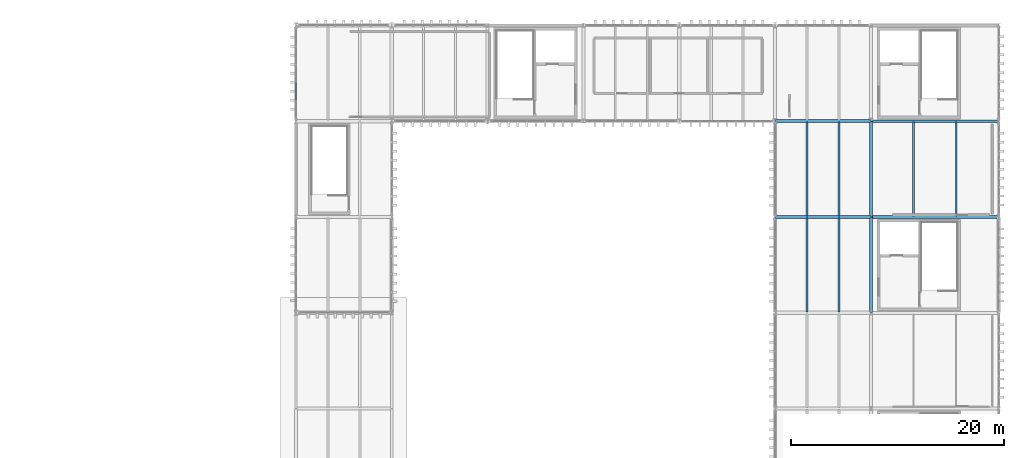
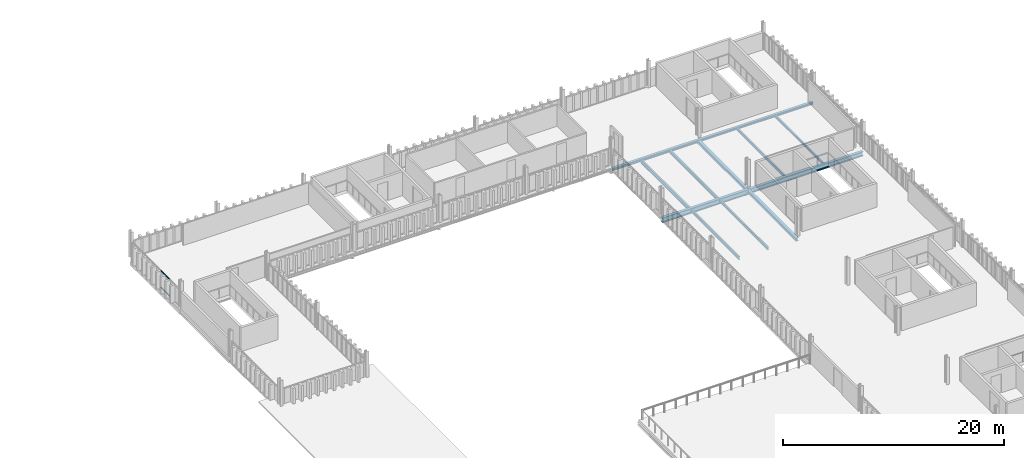
# One storey, part 36 of 58: 12 beams, 2 members, 1 element without a shape of its own.
"""IFC4 building model written with IfcOpenShell, lengths in metres."""

from ifc_helpers import new_model, si_unit, direction, frame, origin, origin_2d, place, context, subcontext, project, spatial, hollow_rectangle, i_section, extrude, material, layer, layer_set, material_profile, profile_set, type_object, element, aggregate, save


model = new_model("IFC4")

# Units and contexts
model_context = context("Model", 3, precision=1e-05, world=origin(), true_north=direction((0.0, 1.0)))
body_context = subcontext(model_context, "Body", "Model", "MODEL_VIEW")
ifc_project = project(units=[si_unit("LENGTHUNIT", "METRE"), si_unit("AREAUNIT", "SQUARE_METRE"), si_unit("VOLUMEUNIT", "CUBIC_METRE"), si_unit("PLANEANGLEUNIT", "RADIAN"), si_unit("MASSUNIT", "GRAM", prefix="KILO")], contexts=[model_context])

# Site, building, storey
site_placement = place(None, origin())
site = spatial("IfcSite", under=ifc_project, at=site_placement, CompositionType="ELEMENT")
building_placement = place(site_placement, origin())
building = spatial("IfcBuilding", under=site, at=building_placement, Name="Barlavento Convention Centre", CompositionType="ELEMENT")
storey_placement = place(building_placement, frame((0.0, 0.0, 26.800048828125)))
storey = spatial("IfcBuildingStorey", under=building, at=storey_placement, Name="L05", CompositionType="ELEMENT", Elevation=26.800048828125)

# Curtain wall, members
ifc_material_1 = material(Name="Powder-coated aluminium and Low-E glass", Category="aluminium")
ifc_layer = layer(ifc_material_1, 0.18994140625)
ifc_layer_set = layer_set([ifc_layer], Name="ARC-CW-CONF-L05")
curtain_wall_type = type_object("IfcCurtainWallType", Name="ARC-CW-CONF-L05", PredefinedType="NOTDEFINED", material=ifc_layer_set)
curtain_wall_placement = place(storey_placement, origin())
curtain_wall = element("IfcCurtainWall", 1, at=curtain_wall_placement, inside=storey, type_object=curtain_wall_type, Name="L05 unitised curtain wall CW10", PredefinedType="NOTDEFINED")
ifc_material_2 = material(Name="Powder-coated aluminium", Category="aluminium")
ifc_material_profile_1 = material_profile(ifc_material_2, hollow_rectangle(XDim=0.06005859375, YDim=0.1201171875, WallThickness=0.00390625, at=origin_2d()), Name="AL-TRAN 60x120x4")
ifc_profile_set_1 = profile_set([ifc_material_profile_1], Name="Powder-coated aluminium")
member_type = type_object("IfcMemberType", Name="ARC-CWT-60X120", PredefinedType="USERDEFINED", material=ifc_profile_set_1)
member_1_placement = place(storey_placement, frame((126.0, 91.98095703125, 0.030029296875), z_axis=(0.0, 1.0, 0.0), x_axis=(-1.0, 0.0, 0.0)))
member_1 = element("IfcMember", 2, at=member_1_placement, type_object=member_type, Name="CW10 transom 2.1", ObjectType="TRANSOM", PredefinedType="USERDEFINED", context=body_context, shape_type="SweptSolid", body=[
    extrude(hollow_rectangle(XDim=0.06005859375, YDim=0.1201171875, WallThickness=0.00390625, at=origin_2d()), origin(), (0.0, 0.0, 1.0), 1.631103515625),
])
member_2_placement = place(storey_placement, frame((126.0, 91.98095703125, 1.869873046875), z_axis=(0.0, 1.0, 0.0), x_axis=(-1.0, 0.0, 0.0)))
member_2 = element("IfcMember", 3, at=member_2_placement, type_object=member_type, Name="CW10 transom 2.2", ObjectType="TRANSOM", PredefinedType="USERDEFINED", context=body_context, shape_type="SweptSolid", body=[
    extrude(hollow_rectangle(XDim=0.06005859375, YDim=0.1201171875, WallThickness=0.00390625, at=origin_2d()), origin(), (0.0, 0.0, 1.0), 1.631103515625),
])
aggregate(curtain_wall, [member_1, member_2])

# Beams
ifc_material_3 = material(Name="Steel S355", Category="steel")
ifc_material_profile_2 = material_profile(ifc_material_3, i_section(OverallWidth=0.135009765625, OverallDepth=0.27001953125, WebThickness=0.006591796875, FlangeThickness=0.01025390625, FilletRadius=0.014892578125, at=origin_2d()), Name="IPE 270")
ifc_profile_set_2 = profile_set([ifc_material_profile_2], Name="Steel S355")
beam_type_1 = type_object("IfcBeamType", Name="STR-BM-JST-IPE270", PredefinedType="JOIST", material=ifc_profile_set_2)
beam_1_placement = place(storey_placement, frame((188.0, 81.094970703125, -0.4951171875), z_axis=(0.0, 1.0, 0.0), x_axis=(-1.0, 0.0, 0.0)))
element("IfcBeam", 4, at=beam_1_placement, inside=storey, type_object=beam_type_1, Name="L05 composite floor joist SJ08", PredefinedType="JOIST", context=body_context, shape_type="SweptSolid", body=[
    extrude(i_section(OverallWidth=0.135009765625, OverallDepth=0.27001953125, WebThickness=0.006591796875, FlangeThickness=0.01025390625, FilletRadius=0.014892578125, at=origin_2d()), origin(), (0.0, 0.0, 1.0), 8.81005859375),
])
ifc_material_profile_3 = material_profile(ifc_material_3, i_section(OverallWidth=0.14990234375, OverallDepth=0.300048828125, WebThickness=0.007080078125, FlangeThickness=0.0107421875, FilletRadius=0.014892578125, at=origin_2d()), Name="IPE 300")
ifc_profile_set_3 = profile_set([ifc_material_profile_3], Name="Steel S355")
beam_type_2 = type_object("IfcBeamType", Name="STR-BM-JST-IPE300", PredefinedType="JOIST", material=ifc_profile_set_3)
for number, where, z_axis, x_axis, name in (
    (5, (177.0, 72.094970703125, -0.510009765625), (0.0, 1.0, 0.0), (-1.0, 0.0, 0.0), "L05 composite floor joist SJ07"),
    (6, (184.0, 81.094970703125, -0.510009765625), (0.0, 1.0, 0.0), (-1.0, 0.0, 0.0), "L05 composite floor joist SJ07"),
):
    element("IfcBeam", number, at=place(storey_placement, frame(where, z_axis=z_axis, x_axis=x_axis)), inside=storey, type_object=beam_type_2, Name=name, PredefinedType="JOIST", context=body_context, shape_type="SweptSolid", body=[
        extrude(i_section(OverallWidth=0.14990234375, OverallDepth=0.300048828125, WebThickness=0.007080078125, FlangeThickness=0.0107421875, FilletRadius=0.014892578125, at=origin_2d()), origin(), (0.0, 0.0, 1.0), 8.81005859375),
    ])
ifc_material_profile_4 = material_profile(ifc_material_3, i_section(OverallWidth=0.159912109375, OverallDepth=0.330078125, WebThickness=0.007568359375, FlangeThickness=0.011474609375, FilletRadius=0.01806640625, at=origin_2d()), Name="IPE 330")
ifc_profile_set_4 = profile_set([ifc_material_profile_4], Name="Steel S355")
beam_type_3 = type_object("IfcBeamType", Name="STR-BM-JST-IPE330", PredefinedType="JOIST", material=ifc_profile_set_4)
beam_2_placement = place(storey_placement, frame((174.0, 72.094970703125, -0.525146484375), z_axis=(0.0, 1.0, 0.0), x_axis=(-1.0, 0.0, 0.0)))
element("IfcBeam", 7, at=beam_2_placement, inside=storey, type_object=beam_type_3, Name="L05 composite floor joist SJ06", PredefinedType="JOIST", context=body_context, shape_type="SweptSolid", body=[
    extrude(i_section(OverallWidth=0.159912109375, OverallDepth=0.330078125, WebThickness=0.007568359375, FlangeThickness=0.011474609375, FilletRadius=0.01806640625, at=origin_2d()), origin(), (0.0, 0.0, 1.0), 8.81005859375),
])
ifc_material_profile_5 = material_profile(ifc_material_3, i_section(OverallWidth=0.169921875, OverallDepth=0.360107421875, WebThickness=0.008056640625, FlangeThickness=0.0126953125, FilletRadius=0.01806640625, at=origin_2d()), Name="IPE 360")
ifc_profile_set_5 = profile_set([ifc_material_profile_5], Name="Steel S355")
beam_type_4 = type_object("IfcBeamType", Name="STR-BM-JST-IPE360", PredefinedType="JOIST", material=ifc_profile_set_5)
beam_3_placement = place(storey_placement, frame((177.0, 81.094970703125, -0.5400390625), z_axis=(0.0, 1.0, 0.0), x_axis=(-1.0, 0.0, 0.0)))
element("IfcBeam", 8, at=beam_3_placement, inside=storey, type_object=beam_type_4, Name="L05 composite floor joist SJ05", PredefinedType="JOIST", context=body_context, shape_type="SweptSolid", body=[
    extrude(i_section(OverallWidth=0.169921875, OverallDepth=0.360107421875, WebThickness=0.008056640625, FlangeThickness=0.0126953125, FilletRadius=0.01806640625, at=origin_2d()), origin(), (0.0, 0.0, 1.0), 8.81005859375),
])
ifc_material_profile_6 = material_profile(ifc_material_3, i_section(OverallWidth=0.179931640625, OverallDepth=0.39990234375, WebThickness=0.008544921875, FlangeThickness=0.013427734375, FilletRadius=0.02099609375, at=origin_2d()), Name="IPE 400")
ifc_profile_set_6 = profile_set([ifc_material_profile_6], Name="Steel S355")
beam_type_5 = type_object("IfcBeamType", Name="STR-BM-JST-IPE400", PredefinedType="JOIST", material=ifc_profile_set_6)
beam_4_placement = place(storey_placement, frame((174.0, 81.094970703125, -0.56005859375), z_axis=(0.0, 1.0, 0.0), x_axis=(-1.0, 0.0, 0.0)))
element("IfcBeam", 9, at=beam_4_placement, inside=storey, type_object=beam_type_5, Name="L05 composite floor joist SJ04", PredefinedType="JOIST", context=body_context, shape_type="SweptSolid", body=[
    extrude(i_section(OverallWidth=0.179931640625, OverallDepth=0.39990234375, WebThickness=0.008544921875, FlangeThickness=0.013427734375, FilletRadius=0.02099609375, at=origin_2d()), origin(), (0.0, 0.0, 1.0), 8.81005859375),
])
ifc_material_profile_7 = material_profile(ifc_material_3, i_section(OverallWidth=0.300048828125, OverallDepth=0.330078125, WebThickness=0.009521484375, FlangeThickness=0.0166015625, FilletRadius=0.027099609375, at=origin_2d()), Name="HEA 340")
ifc_profile_set_7 = profile_set([ifc_material_profile_7], Name="Steel S355")
beam_type_6 = type_object("IfcBeamType", Name="STR-BM-PRI-HEA340", PredefinedType="BEAM", material=ifc_profile_set_7)
for number, where, z_axis, x_axis, name in (
    (10, (180.0, 72.02001953125, -0.525146484375), (0.0, 1.0, 0.0), (-1.0, 0.0, 0.0), "L05 grid girder BG24"),
    (11, (180.0, 81.02001953125, -0.525146484375), (0.0, 1.0, 0.0), (-1.0, 0.0, 0.0), "L05 grid girder BG24"),
):
    element("IfcBeam", number, at=place(storey_placement, frame(where, z_axis=z_axis, x_axis=x_axis)), inside=storey, type_object=beam_type_6, Name=name, PredefinedType="BEAM", context=body_context, shape_type="SweptSolid", body=[
        extrude(i_section(OverallWidth=0.300048828125, OverallDepth=0.330078125, WebThickness=0.009521484375, FlangeThickness=0.0166015625, FilletRadius=0.027099609375, at=origin_2d()), origin(), (0.0, 0.0, 1.0), 8.9599609375),
    ])
ifc_material_profile_8 = material_profile(ifc_material_3, i_section(OverallWidth=0.260009765625, OverallDepth=0.260009765625, WebThickness=0.010009765625, FlangeThickness=0.017578125, FilletRadius=0.02392578125, at=origin_2d()), Name="HEB 260")
ifc_profile_set_8 = profile_set([ifc_material_profile_8], Name="Steel S355")
beam_type_7 = type_object("IfcBeamType", Name="STR-BM-PRI-HEB260", PredefinedType="BEAM", material=ifc_profile_set_8)
beam_5_placement = place(storey_placement, frame((180.02001953125, 90.0, -0.489990234375), z_axis=(1.0, 0.0, 0.0), x_axis=(0.0, 1.0, 0.0)))
element("IfcBeam", 12, at=beam_5_placement, inside=storey, type_object=beam_type_7, Name="L05 primary girder BG16", PredefinedType="BEAM", context=body_context, shape_type="SweptSolid", body=[
    extrude(i_section(OverallWidth=0.260009765625, OverallDepth=0.260009765625, WebThickness=0.010009765625, FlangeThickness=0.017578125, FilletRadius=0.02392578125, at=origin_2d()), origin(), (0.0, 0.0, 1.0), 11.9599609375),
])
ifc_material_profile_9 = material_profile(ifc_material_3, i_section(OverallWidth=0.280029296875, OverallDepth=0.280029296875, WebThickness=0.010498046875, FlangeThickness=0.01806640625, FilletRadius=0.02392578125, at=origin_2d()), Name="HEB 280")
ifc_profile_set_9 = profile_set([ifc_material_profile_9], Name="Steel S355")
beam_type_8 = type_object("IfcBeamType", Name="STR-BM-PRI-HEB280", PredefinedType="BEAM", material=ifc_profile_set_9)
beam_6_placement = place(storey_placement, frame((171.02001953125, 90.0, -0.5), z_axis=(1.0, 0.0, 0.0), x_axis=(0.0, 1.0, 0.0)))
element("IfcBeam", 13, at=beam_6_placement, inside=storey, type_object=beam_type_8, Name="L05 primary girder BG15", PredefinedType="BEAM", context=body_context, shape_type="SweptSolid", body=[
    extrude(i_section(OverallWidth=0.280029296875, OverallDepth=0.280029296875, WebThickness=0.010498046875, FlangeThickness=0.01806640625, FilletRadius=0.02392578125, at=origin_2d()), origin(), (0.0, 0.0, 1.0), 8.9599609375),
])
ifc_material_profile_10 = material_profile(ifc_material_3, i_section(OverallWidth=0.300048828125, OverallDepth=0.5, WebThickness=0.014404296875, FlangeThickness=0.028076171875, FilletRadius=0.027099609375, at=origin_2d()), Name="HEB 500")
ifc_profile_set_10 = profile_set([ifc_material_profile_10], Name="Steel S355")
beam_type_9 = type_object("IfcBeamType", Name="STR-BM-PRI-HEB500", PredefinedType="BEAM", material=ifc_profile_set_10)
beam_7_placement = place(storey_placement, frame((180.02001953125, 81.0, -0.610107421875), z_axis=(1.0, 0.0, 0.0), x_axis=(0.0, 1.0, 0.0)))
element("IfcBeam", 14, at=beam_7_placement, inside=storey, type_object=beam_type_9, Name="L05 primary girder BG09", PredefinedType="BEAM", context=body_context, shape_type="SweptSolid", body=[
    extrude(i_section(OverallWidth=0.300048828125, OverallDepth=0.5, WebThickness=0.014404296875, FlangeThickness=0.028076171875, FilletRadius=0.027099609375, at=origin_2d()), origin(), (0.0, 0.0, 1.0), 11.9599609375),
])
ifc_material_profile_11 = material_profile(ifc_material_3, i_section(OverallWidth=0.300048828125, OverallDepth=0.550048828125, WebThickness=0.014892578125, FlangeThickness=0.029052734375, FilletRadius=0.027099609375, at=origin_2d()), Name="HEB 550")
ifc_profile_set_11 = profile_set([ifc_material_profile_11], Name="Steel S355")
beam_type_10 = type_object("IfcBeamType", Name="STR-BM-PRI-HEB550", PredefinedType="BEAM", material=ifc_profile_set_11)
beam_8_placement = place(storey_placement, frame((171.02001953125, 81.0, -0.635009765625), z_axis=(1.0, 0.0, 0.0), x_axis=(0.0, 1.0, 0.0)))
element("IfcBeam", 15, at=beam_8_placement, inside=storey, type_object=beam_type_10, Name="L05 primary girder BG08", PredefinedType="BEAM", context=body_context, shape_type="SweptSolid", body=[
    extrude(i_section(OverallWidth=0.300048828125, OverallDepth=0.550048828125, WebThickness=0.014892578125, FlangeThickness=0.029052734375, FilletRadius=0.027099609375, at=origin_2d()), origin(), (0.0, 0.0, 1.0), 8.9599609375),
])

save(model, "model.ifc")
